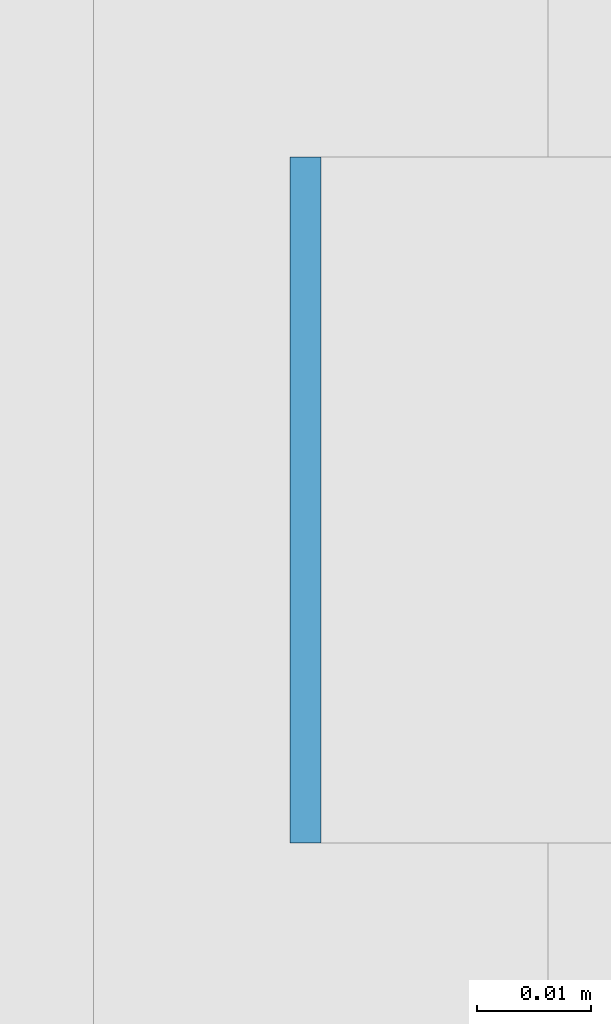
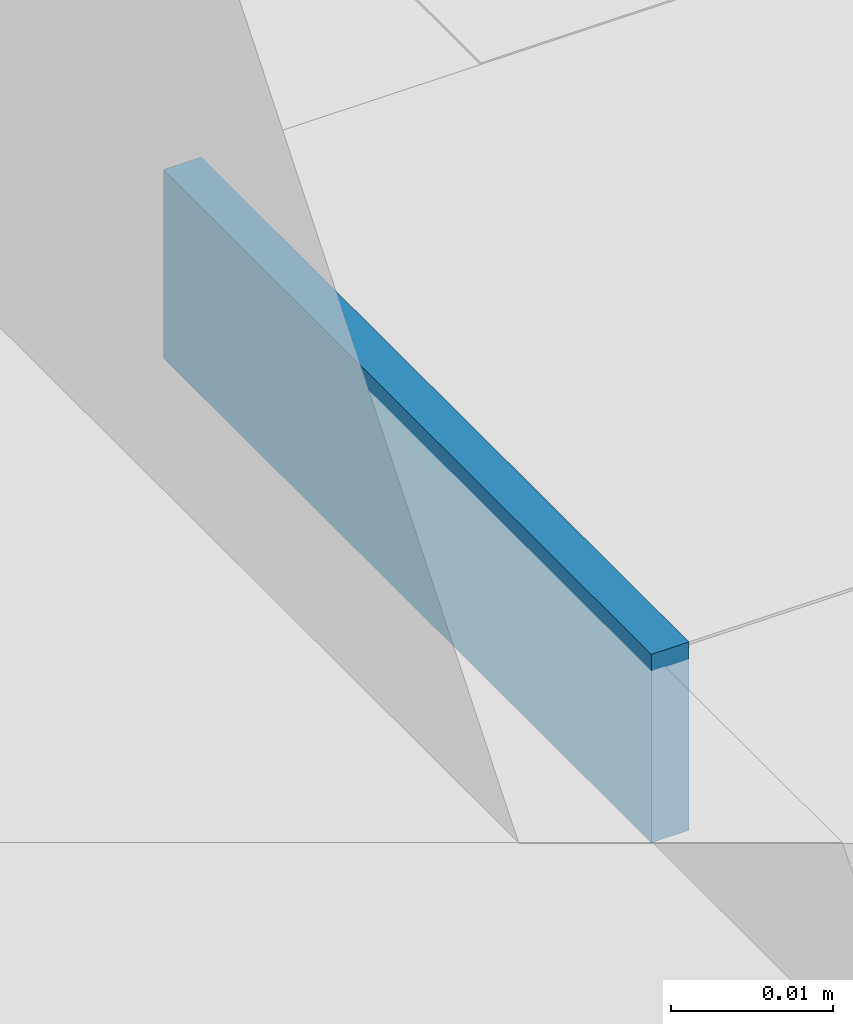
# One storey, part 611 of 646: 1 discrete accessory.
"""IFC4 building model written with IfcOpenShell, lengths in metres."""

import ifcopenshell
import ifcopenshell.guid

model = None  # the IFC model being written
_history = None  # IfcOwnerHistory: only IFC2X3 demands one
_inside = {}  # id of a spatial element -> (the spatial element, [elements in it])
_under = {}  # id of a project, library or spatial element -> (it, [spatial elements below it])
_declared = {}  # id of a project -> (the project, [libraries it declares])
_typed = {}  # id of a type object -> (the type object, [elements of that type])
_made_of = {}  # id of a material, layer set ... -> (it, [elements and type objects made of it])


def new_model(schema):
    """Start an empty IFC model of exactly this schema.

    Asked for "IFC4X3", IfcOpenShell would pick the latest addendum, in which some entities
    have other attributes; the version numbers below select the first issue.
    IFC2X3 requires an IfcOwnerHistory on every rooted entity: one is made here for all.
    """
    global model, _history
    if schema == "IFC4X3":
        model = ifcopenshell.file(schema_version=(4, 3, 0, 0))
    else:
        model = ifcopenshell.file(schema=schema)
    _inside.clear()
    _under.clear()
    _declared.clear()
    _typed.clear()
    _made_of.clear()
    _history = None
    if model.schema == "IFC2X3":
        org = make("IfcOrganization", Name="unknown")
        user = make(
            "IfcPersonAndOrganization",
            ThePerson=make("IfcPerson", FamilyName="unknown"),
            TheOrganization=org,
        )
        app = make(
            "IfcApplication",
            ApplicationDeveloper=org,
            Version="unknown",
            ApplicationFullName="unknown",
            ApplicationIdentifier="unknown",
        )
        _history = make(
            "IfcOwnerHistory",
            OwningUser=user,
            OwningApplication=app,
            ChangeAction="ADDED",
            CreationDate=0,
        )
    return model


def make(cls, **values):
    """One entity of the class cls with the attributes given. An attribute that is None is left unset."""
    return model.create_entity(
        cls, **{name: value for name, value in values.items() if value is not None}
    )


def rooted(cls, **values):
    """An entity with a GlobalId (a new one), such as an element, a storey or a relation."""
    return make(cls, GlobalId=ifcopenshell.guid.new(), OwnerHistory=_history, **values)


def si_unit(unit_type, name, prefix=None):
    """IfcSIUnit, for example si_unit("LENGTHUNIT", "METRE", prefix="MILLI")."""
    return make("IfcSIUnit", UnitType=unit_type, Prefix=prefix, Name=name)


def assignment(units):
    """IfcUnitAssignment: the units of a project."""
    return None if units is None else make("IfcUnitAssignment", Units=units)


def point(xyz):
    """IfcCartesianPoint."""
    return None if xyz is None else make("IfcCartesianPoint", Coordinates=xyz)


def direction(xyz):
    """IfcDirection."""
    return None if xyz is None else make("IfcDirection", DirectionRatios=xyz)


def frame(location, z_axis=None, x_axis=None):
    """IfcAxis2Placement3D, a coordinate frame: its origin and axes. An axis left out is left unset."""
    return make(
        "IfcAxis2Placement3D",
        Location=point(location),
        Axis=direction(z_axis),
        RefDirection=direction(x_axis),
    )


def frame_2d(location, x_axis=None):
    """IfcAxis2Placement2D, a coordinate frame in the plane: its origin and x axis."""
    return make(
        "IfcAxis2Placement2D", Location=point(location), RefDirection=direction(x_axis)
    )


def origin():
    """The frame at (0, 0, 0) with its axes left unset."""
    return frame((0.0, 0.0, 0.0))


def origin_2d():
    """The frame at (0, 0) in the plane with its x axis left unset."""
    return frame_2d((0.0, 0.0))


def place(relative_to, where):
    """IfcLocalPlacement: puts the frame where relative to a parent placement (None: the world)."""
    return make(
        "IfcLocalPlacement", PlacementRelTo=relative_to, RelativePlacement=where
    )


def context(
    kind, dimensions, precision=None, world=None, true_north=None, identifier=None
):
    """IfcGeometricRepresentationContext, for example the 3D "Model" context."""
    return make(
        "IfcGeometricRepresentationContext",
        ContextIdentifier=identifier,
        ContextType=kind,
        CoordinateSpaceDimension=dimensions,
        Precision=precision,
        WorldCoordinateSystem=world,
        TrueNorth=true_north,
    )


def subcontext(parent, identifier, kind, view, scale=None):
    """IfcGeometricRepresentationSubContext, for example "Body" below "Model"."""
    return make(
        "IfcGeometricRepresentationSubContext",
        ContextIdentifier=identifier,
        ContextType=kind,
        ParentContext=parent,
        TargetScale=scale,
        TargetView=view,
    )


def project(units=None, contexts=None):
    """IfcProject with its units and contexts."""
    return rooted(
        "IfcProject",
        Name="project",
        RepresentationContexts=contexts,
        UnitsInContext=assignment(units),
    )


def spatial(cls, under=None, at=None, **own):
    """A site, building, storey or space (cls), placed at a placement, below another one or the project."""
    s = rooted(cls, ObjectPlacement=at, **own)
    if under is not None:
        _under.setdefault(under.id(), (under, []))[1].append(s)
    return s


def profile(cls, at=None, kind="AREA", **sizes):
    """A parametric profile (cls). Its sizes go by their IFC names, for example OverallWidth=200.0."""
    return make(cls, ProfileType=kind, Position=at, **sizes)


def rectangle(**sizes):
    """IfcRectangleProfileDef."""
    return profile("IfcRectangleProfileDef", **sizes)


def extrude(swept, where, along, depth):
    """IfcExtrudedAreaSolid: the profile swept, set in the frame where, extruded along a direction by depth."""
    return make(
        "IfcExtrudedAreaSolid",
        SweptArea=swept,
        Position=where,
        ExtrudedDirection=direction(along),
        Depth=depth,
    )


def shape(context_of_items, identifier, shape_type, items):
    """IfcShapeRepresentation: the items that make up one representation, for example the "Body"."""
    return make(
        "IfcShapeRepresentation",
        ContextOfItems=context_of_items,
        RepresentationIdentifier=identifier,
        RepresentationType=shape_type,
        Items=items,
    )


def material(Name=None, Category=None):
    """IfcMaterial."""
    return make("IfcMaterial", Name=Name, Category=Category)


def made_of(thing, what):
    """Note that an element or type object is made of a material, layer set ...; save() writes the relation."""
    if what is not None:
        _made_of.setdefault(what.id(), (what, []))[1].append(thing)
    return thing


def type_object(cls, material=None, **own):
    """A type object (cls), such as IfcWallType, which elements share."""
    return made_of(rooted(cls, **own), material)


def element(
    cls,
    number,
    at=None,
    inside=None,
    cuts=None,
    type_object=None,
    material=None,
    context=None,
    identifier="Body",
    shape_type=None,
    held_by="IfcProductDefinitionShape",
    body=None,
    shapes=None,
    **own,
):
    """One element of the class cls, such as IfcWall. Its Tag is "e" and its number.

    at: its placement. inside: the storey or other place that contains it. cuts: it is an
    opening in that element (IfcRelVoidsElement). A single representation is given by context,
    identifier, shape_type and body (its items); several are given by shapes. held_by: the class
    of the entity that holds the representations. save() writes the other relations.
    """
    e = rooted(cls, Tag="e%d" % number, ObjectPlacement=at, **own)
    if body is not None:
        shapes = [shape(context, identifier, shape_type, body)]
    if shapes is not None:
        e.Representation = make(held_by, Representations=shapes)
    if inside is not None:
        _inside.setdefault(inside.id(), (inside, []))[1].append(e)
    if cuts is not None:
        rooted(
            "IfcRelVoidsElement", RelatingBuildingElement=cuts, RelatedOpeningElement=e
        )
    if type_object is not None:
        _typed.setdefault(type_object.id(), (type_object, []))[1].append(e)
    return made_of(e, material)


def aggregate(whole, parts):
    """IfcRelAggregates: a whole, such as a stair, and the parts it consists of."""
    return rooted("IfcRelAggregates", RelatingObject=whole, RelatedObjects=parts)


def save(model, path):
    """Write the relations noted so far, then the file.

    IfcRelAggregates (storeys below a building ...), IfcRelContainedInSpatialStructure (elements
    in a storey), IfcRelDefinesByType, IfcRelAssociatesMaterial and IfcRelDeclares: one each for
    every whole, place, type object, material and project.
    """
    for whole, parts in _under.values():
        aggregate(whole, parts)
    for where, things in _inside.values():
        rooted(
            "IfcRelContainedInSpatialStructure",
            RelatedElements=things,
            RelatingStructure=where,
        )
    for kind, things in _typed.values():
        rooted("IfcRelDefinesByType", RelatedObjects=things, RelatingType=kind)
    for what, things in _made_of.values():
        rooted("IfcRelAssociatesMaterial", RelatedObjects=things, RelatingMaterial=what)
    for by, libraries in _declared.values():
        rooted("IfcRelDeclares", RelatingContext=by, RelatedDefinitions=libraries)
    model.write(path)


model = new_model("IFC4")

# Units and contexts
model_context = context("Model", 3, precision=1e-05, world=origin(), true_north=direction((0.0, 1.0)))
body_context = subcontext(model_context, "Body", "Model", "MODEL_VIEW")
ifc_project = project(units=[si_unit("LENGTHUNIT", "METRE"), si_unit("AREAUNIT", "SQUARE_METRE"), si_unit("VOLUMEUNIT", "CUBIC_METRE"), si_unit("PLANEANGLEUNIT", "RADIAN"), si_unit("MASSUNIT", "GRAM", prefix="KILO")], contexts=[model_context])

# Site, building, storey
site_placement = place(None, origin())
site = spatial("IfcSite", under=ifc_project, at=site_placement, CompositionType="ELEMENT")
building_placement = place(site_placement, origin())
building = spatial("IfcBuilding", under=site, at=building_placement, Name="Silverbay Arena", CompositionType="ELEMENT")
storey_placement = place(building_placement, frame((0.0, 0.0, 33.5)))
storey = spatial("IfcBuildingStorey", under=building, at=storey_placement, Name="L05", CompositionType="ELEMENT", Elevation=33.5)

# Discrete accessory
ifc_material = material(Name="Steel S355", Category="steel")
discrete_accessory_type = type_object("IfcDiscreteAccessoryType", Name="Steel bracket plate", PredefinedType="BRACKET", material=ifc_material)
discrete_accessory_placement = place(storey_placement, frame((207.128662109375, 130.300048828125, 12.98583984375), z_axis=(0.0, 0.0, 1.0), x_axis=(1.0, 0.0, 0.0)))
element("IfcDiscreteAccessory", 1, at=discrete_accessory_placement, inside=storey, type_object=discrete_accessory_type, Name="Curtain wall packing plate", PredefinedType="BRACKET", context=body_context, shape_type="SweptSolid", body=[
    extrude(rectangle(XDim=0.002685546875, YDim=0.06005859375, at=origin_2d()), origin(), (0.0, 0.0, 1.0), 0.01416015625),
])

save(model, "model.ifc")
